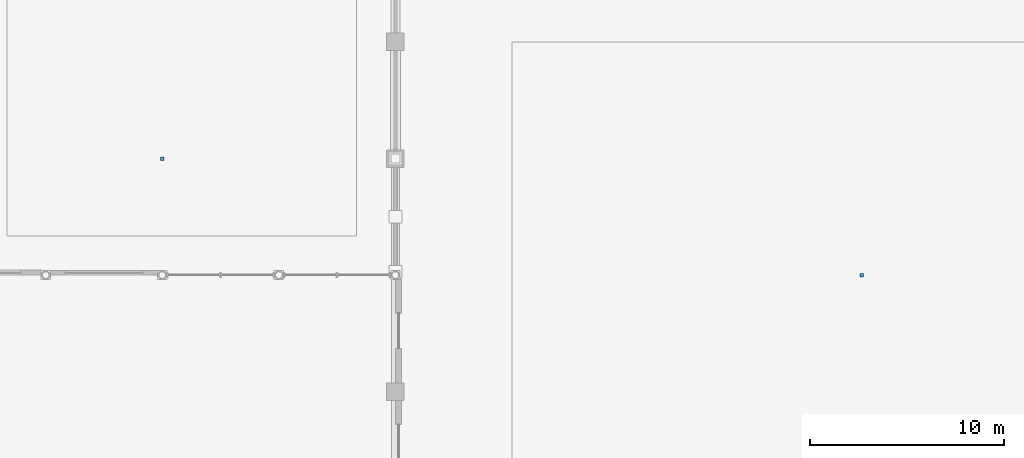
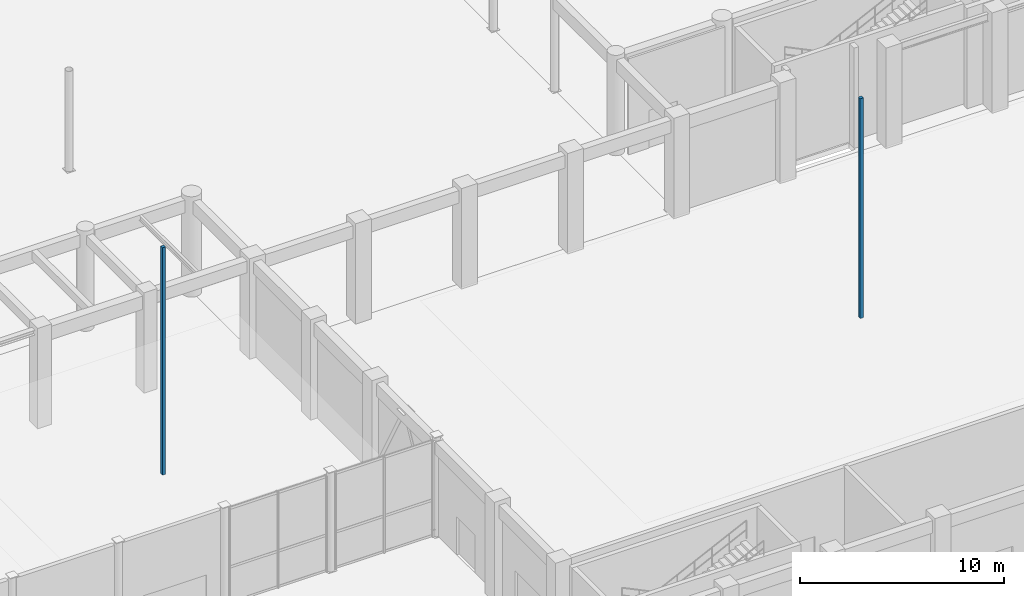
# One storey, part 95 of 106: 2 discrete accessories.
"""IFC4 building model written with IfcOpenShell, lengths in metres."""

from ifc_helpers import new_model, si_unit, direction, frame, origin, origin_2d, place, context, subcontext, project, spatial, rectangle, extrude, material, type_object, element, save


model = new_model("IFC4")

# Units and contexts
model_context = context("Model", 3, precision=1e-05, world=origin(), true_north=direction((0.0, 1.0)))
body_context = subcontext(model_context, "Body", "Model", "MODEL_VIEW")
ifc_project = project(units=[si_unit("LENGTHUNIT", "METRE"), si_unit("AREAUNIT", "SQUARE_METRE"), si_unit("VOLUMEUNIT", "CUBIC_METRE"), si_unit("PLANEANGLEUNIT", "RADIAN"), si_unit("MASSUNIT", "GRAM", prefix="KILO"), si_unit("THERMODYNAMICTEMPERATUREUNIT", "KELVIN"), si_unit("POWERUNIT", "WATT")], contexts=[model_context])

# Site, building, storey
site_placement = place(None, origin())
site = spatial("IfcSite", under=ifc_project, at=site_placement, CompositionType="ELEMENT")
building_placement = place(site_placement, origin())
building = spatial("IfcBuilding", under=site, at=building_placement, Name="Phaisarnlok Congress Hotel", CompositionType="ELEMENT")
storey_placement = place(building_placement, origin())
storey = spatial("IfcBuildingStorey", under=building, at=storey_placement, Name="L00", CompositionType="ELEMENT", Elevation=0.0)

# Discrete accessories
ifc_material = material(Name="Steel S355", Category="steel")
discrete_accessory_type = type_object("IfcDiscreteAccessoryType", Name="ACC-HNG-STL", PredefinedType="BRACKET", material=ifc_material)
discrete_accessory_1_placement = place(storey_placement, frame((120.0, 18.0, 4.60498046875), z_axis=(0.0, 0.0, 1.0), x_axis=(1.0, 0.0, 0.0)))
element("IfcDiscreteAccessory", 1, at=discrete_accessory_1_placement, inside=storey, type_object=discrete_accessory_type, Name="Acoustic ceiling steel suspension hanger BK-01", PredefinedType="BRACKET", context=body_context, shape_type="SweptSolid", body=[
    extrude(rectangle(XDim=0.179931640625, YDim=0.179931640625, at=origin_2d()), origin(), (0.0, 0.0, 1.0), 13.14501953125),
])
discrete_accessory_2_placement = place(storey_placement, frame((84.0, 24.0, 4.205078125), z_axis=(0.0, 0.0, 1.0), x_axis=(1.0, 0.0, 0.0)))
element("IfcDiscreteAccessory", 2, at=discrete_accessory_2_placement, inside=storey, type_object=discrete_accessory_type, Name="Acoustic ceiling steel suspension hanger BK-01", PredefinedType="BRACKET", context=body_context, shape_type="SweptSolid", body=[
    extrude(rectangle(XDim=0.179931640625, YDim=0.179931640625, at=origin_2d()), origin(), (0.0, 0.0, 1.0), 13.594970703125),
])

save(model, "model.ifc")
